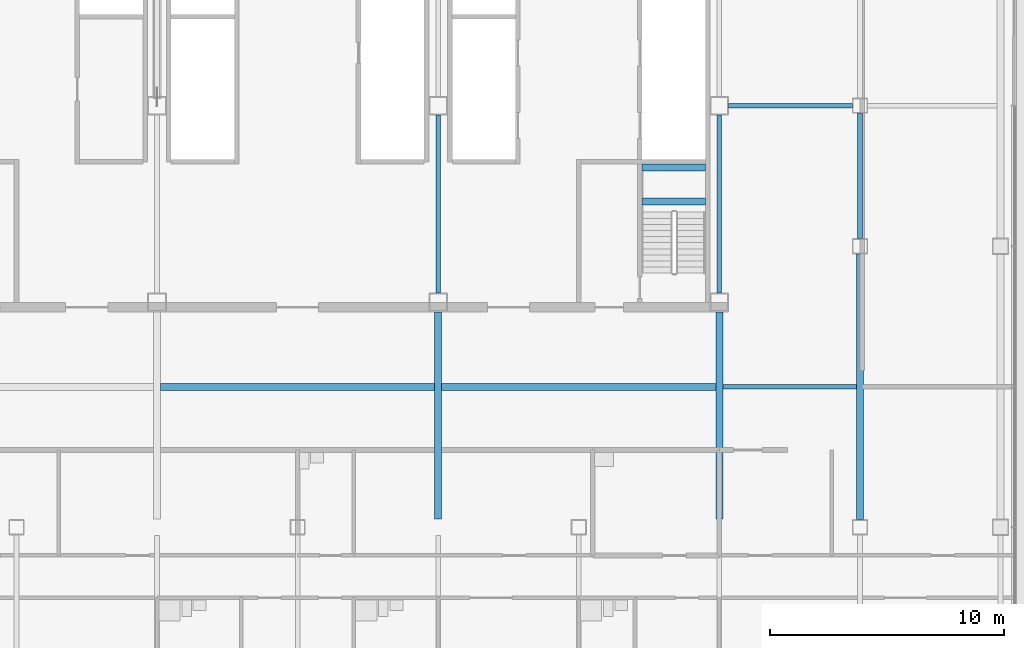
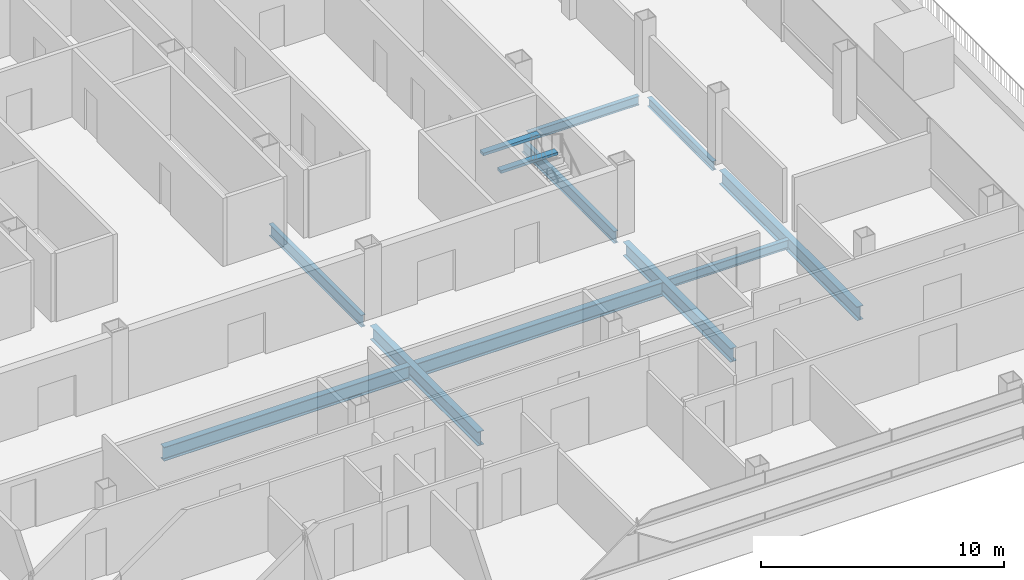
# One storey, part 9 of 27: 12 beams.
"""IFC4 building model written with IfcOpenShell, lengths in metres."""

from ifc_helpers import new_model, si_unit, direction, frame, origin, origin_2d, place, context, subcontext, project, spatial, rectangle, i_section, extrude, material, material_profile, profile_set, type_object, element, save


model = new_model("IFC4")

# Units and contexts
model_context = context("Model", 3, precision=1e-05, world=origin(), true_north=direction((0.0, 1.0)))
body_context = subcontext(model_context, "Body", "Model", "MODEL_VIEW")
ifc_project = project(units=[si_unit("LENGTHUNIT", "METRE"), si_unit("AREAUNIT", "SQUARE_METRE"), si_unit("VOLUMEUNIT", "CUBIC_METRE"), si_unit("PLANEANGLEUNIT", "RADIAN"), si_unit("MASSUNIT", "GRAM", prefix="KILO")], contexts=[model_context])

# Site, building, storey
site_placement = place(None, origin())
site = spatial("IfcSite", under=ifc_project, at=site_placement, CompositionType="ELEMENT")
building_placement = place(site_placement, origin())
building = spatial("IfcBuilding", under=site, at=building_placement, Name="Sorahane Residences", CompositionType="ELEMENT")
storey_placement = place(building_placement, frame((0.0, 0.0, 192.0)))
storey = spatial("IfcBuildingStorey", under=building, at=storey_placement, Name="L44", CompositionType="ELEMENT", Elevation=192.0)

# Beams
ifc_material_1 = material(Name="Concrete C40", Category="concrete")
ifc_material_profile_1 = material_profile(ifc_material_1, rectangle(XDim=0.300048828125, YDim=0.139892578125, at=origin_2d()), Name="300x140")
ifc_profile_set_1 = profile_set([ifc_material_profile_1], Name="Concrete C40")
beam_type_1 = type_object("IfcBeamType", Name="RC landing beam 300 x 140 Concrete C40", PredefinedType="BEAM", material=ifc_profile_set_1)
for number, where, z_axis, x_axis, name in (
    (1, (38.699951171875, 25.89990234375, 1.530029296875), (1.0, 0.0, 0.0), (0.0, 1.0, 0.0), "Landing beam"),
    (2, (38.699951171875, 27.35009765625, 1.530029296875), (1.0, 0.0, 0.0), (0.0, 1.0, 0.0), "Landing beam"),
):
    element("IfcBeam", number, at=place(storey_placement, frame(where, z_axis=z_axis, x_axis=x_axis)), inside=storey, type_object=beam_type_1, Name=name, PredefinedType="BEAM", context=body_context, shape_type="SweptSolid", body=[
        extrude(rectangle(XDim=0.300048828125, YDim=0.139892578125, at=origin_2d()), origin(), (0.0, 0.0, 1.0), 2.699951171875),
    ])
ifc_material_2 = material(Name="Steel Q355B", Category="steel")
ifc_material_profile_2 = material_profile(ifc_material_2, i_section(OverallWidth=0.199951171875, OverallDepth=0.449951171875, WebThickness=0.009033203125, FlangeThickness=0.013916015625, FilletRadius=0.02001953125, at=origin_2d()), Name="HN 450x200x9x14")
ifc_profile_set_2 = profile_set([ifc_material_profile_2], Name="Steel Q355B")
beam_type_2 = type_object("IfcBeamType", Name="Steel floor beam HN 450x200x9x14 Q355B", PredefinedType="BEAM", material=ifc_profile_set_2)
beam_1_placement = place(storey_placement, frame((48.0, 24.324951171875, -0.52490234375), z_axis=(0.0, 1.0, 0.0), x_axis=(-1.0, 0.0, 0.0)))
element("IfcBeam", 3, at=beam_1_placement, inside=storey, type_object=beam_type_2, Name="Beam L44 046", PredefinedType="BEAM", context=body_context, shape_type="SweptSolid", body=[
    extrude(i_section(OverallWidth=0.199951171875, OverallDepth=0.449951171875, WebThickness=0.009033203125, FlangeThickness=0.013916015625, FilletRadius=0.02001953125, at=origin_2d()), origin(), (0.0, 0.0, 1.0), 5.35009765625),
])
beam_2_placement = place(storey_placement, frame((42.14990234375, 18.0, -0.52490234375), z_axis=(1.0, 0.0, 0.0), x_axis=(0.0, 1.0, 0.0)))
element("IfcBeam", 4, at=beam_2_placement, inside=storey, type_object=beam_type_2, Name="Beam L44 061", PredefinedType="BEAM", context=body_context, shape_type="SweptSolid", body=[
    extrude(i_section(OverallWidth=0.199951171875, OverallDepth=0.449951171875, WebThickness=0.009033203125, FlangeThickness=0.013916015625, FilletRadius=0.02001953125, at=origin_2d()), origin(), (0.0, 0.0, 1.0), 5.7001953125),
])
beam_3_placement = place(storey_placement, frame((42.39990234375, 30.0, -0.52490234375), z_axis=(1.0, 0.0, 0.0), x_axis=(0.0, 1.0, 0.0)))
element("IfcBeam", 5, at=beam_3_placement, inside=storey, type_object=beam_type_2, Name="Beam L44 065", PredefinedType="BEAM", context=body_context, shape_type="SweptSolid", body=[
    extrude(i_section(OverallWidth=0.199951171875, OverallDepth=0.449951171875, WebThickness=0.009033203125, FlangeThickness=0.013916015625, FilletRadius=0.02001953125, at=origin_2d()), origin(), (0.0, 0.0, 1.0), 5.275146484375),
])
ifc_material_3 = material(Name="Steel Q355B", Category="steel")
ifc_material_profile_3 = material_profile(ifc_material_3, i_section(OverallWidth=0.199951171875, OverallDepth=0.60009765625, WebThickness=0.010986328125, FlangeThickness=0.01708984375, FilletRadius=0.02392578125, at=origin_2d()), Name="HN 600x200x11x17")
ifc_profile_set_3 = profile_set([ifc_material_profile_3], Name="Steel Q355B")
beam_type_3 = type_object("IfcBeamType", Name="Steel floor beam HN 600x200x11x17 Q355B", PredefinedType="BEAM", material=ifc_profile_set_3)
for number, where, z_axis, x_axis, name in (
    (6, (30.0, 22.0, -0.60009765625), (0.0, 1.0, 0.0), (-1.0, 0.0, 0.0), "Beam L44 029"),
    (7, (42.0, 22.0, -0.60009765625), (0.0, 1.0, 0.0), (-1.0, 0.0, 0.0), "Beam L44 039"),
):
    element("IfcBeam", number, at=place(storey_placement, frame(where, z_axis=z_axis, x_axis=x_axis)), inside=storey, type_object=beam_type_3, Name=name, PredefinedType="BEAM", context=body_context, shape_type="SweptSolid", body=[
        extrude(i_section(OverallWidth=0.199951171875, OverallDepth=0.60009765625, WebThickness=0.010986328125, FlangeThickness=0.01708984375, FilletRadius=0.02392578125, at=origin_2d()), origin(), (0.0, 0.0, 1.0), 7.60009765625),
    ])
ifc_material_4 = material(Name="Steel Q355B", Category="steel")
ifc_material_profile_4 = material_profile(ifc_material_4, i_section(OverallWidth=0.300048828125, OverallDepth=0.699951171875, WebThickness=0.012939453125, FlangeThickness=0.02392578125, FilletRadius=0.028076171875, at=origin_2d()), Name="HN 700x300x13x24")
ifc_profile_set_4 = profile_set([ifc_material_profile_4], Name="Steel Q355B")
beam_type_4 = type_object("IfcBeamType", Name="Steel floor beam HN 700x300x13x24 Q355B", PredefinedType="BEAM", material=ifc_profile_set_4)
for number, where, z_axis, x_axis, name in (
    (8, (30.0, 12.35009765625, -0.64990234375), (0.0, 1.0, 0.0), (-1.0, 0.0, 0.0), "Beam L44 028"),
    (9, (42.0, 12.35009765625, -0.64990234375), (0.0, 1.0, 0.0), (-1.0, 0.0, 0.0), "Beam L44 038"),
):
    element("IfcBeam", number, at=place(storey_placement, frame(where, z_axis=z_axis, x_axis=x_axis)), inside=storey, type_object=beam_type_4, Name=name, PredefinedType="BEAM", context=body_context, shape_type="SweptSolid", body=[
        extrude(i_section(OverallWidth=0.300048828125, OverallDepth=0.699951171875, WebThickness=0.012939453125, FlangeThickness=0.02392578125, FilletRadius=0.028076171875, at=origin_2d()), origin(), (0.0, 0.0, 1.0), 8.849853515625),
    ])
beam_4_placement = place(storey_placement, frame((48.0, 12.324951171875, -0.64990234375), z_axis=(0.0, 1.0, 0.0), x_axis=(-1.0, 0.0, 0.0)))
element("IfcBeam", 10, at=beam_4_placement, inside=storey, type_object=beam_type_4, Name="Beam L44 045", PredefinedType="BEAM", context=body_context, shape_type="SweptSolid", body=[
    extrude(i_section(OverallWidth=0.300048828125, OverallDepth=0.699951171875, WebThickness=0.012939453125, FlangeThickness=0.02392578125, FilletRadius=0.028076171875, at=origin_2d()), origin(), (0.0, 0.0, 1.0), 11.35009765625),
])
for number, where, z_axis, x_axis, name in (
    (11, (18.14990234375, 18.0, -0.64990234375), (1.0, 0.0, 0.0), (0.0, 1.0, 0.0), "Beam L44 059"),
    (12, (30.14990234375, 18.0, -0.64990234375), (1.0, 0.0, 0.0), (0.0, 1.0, 0.0), "Beam L44 060"),
):
    element("IfcBeam", number, at=place(storey_placement, frame(where, z_axis=z_axis, x_axis=x_axis)), inside=storey, type_object=beam_type_4, Name=name, PredefinedType="BEAM", context=body_context, shape_type="SweptSolid", body=[
        extrude(i_section(OverallWidth=0.300048828125, OverallDepth=0.699951171875, WebThickness=0.012939453125, FlangeThickness=0.02392578125, FilletRadius=0.028076171875, at=origin_2d()), origin(), (0.0, 0.0, 1.0), 11.7001953125),
    ])

save(model, "model.ifc")
